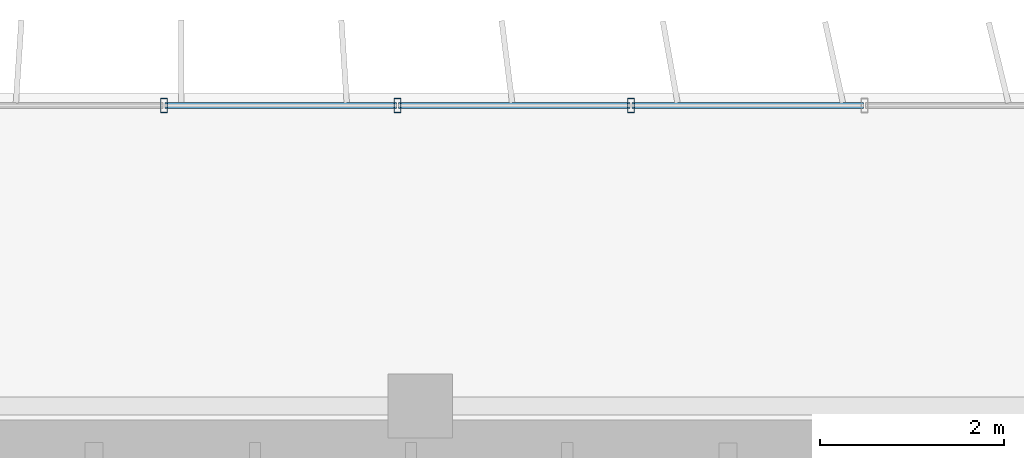
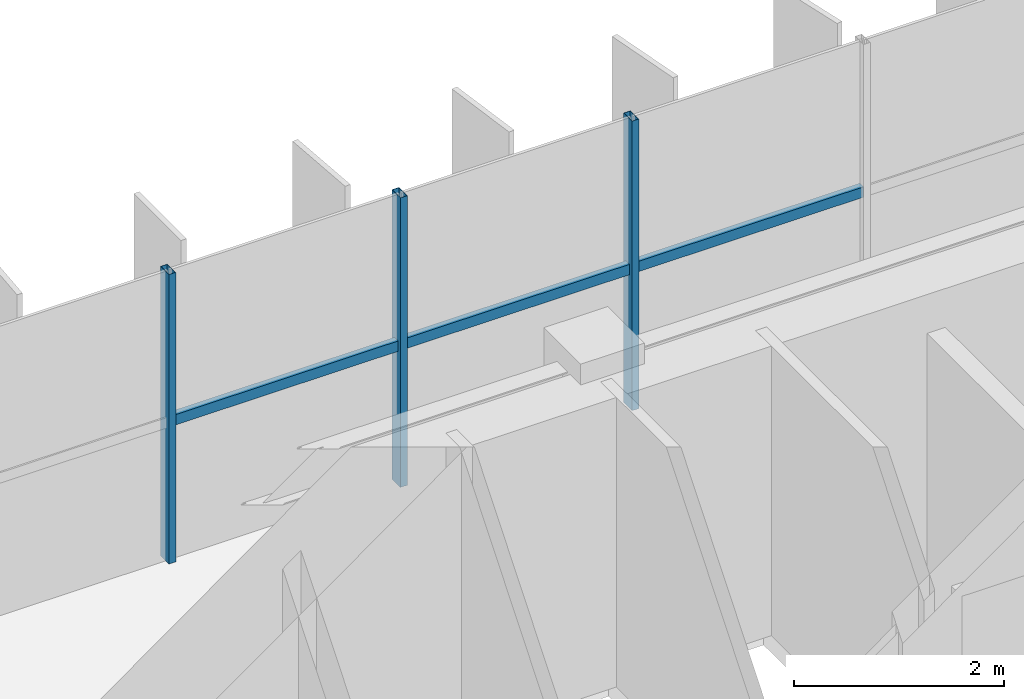
# One storey, part 11 of 23: 6 members, 1 element without a shape of its own.
"""IFC4 building model written with IfcOpenShell, lengths in metres."""

from ifc_helpers import new_model, si_unit, direction, frame, origin, origin_2d, place, context, subcontext, project, spatial, hollow_rectangle, extrude, source, transform, mapped, material, material_profile, profile_set, type_object, element, aggregate, save


model = new_model("IFC4")

# Units and contexts
model_context = context("Model", 3, precision=1e-05, world=origin(), true_north=direction((0.0, 1.0)))
body_context = subcontext(model_context, "Body", "Model", "MODEL_VIEW")
ifc_project = project(units=[si_unit("LENGTHUNIT", "METRE"), si_unit("AREAUNIT", "SQUARE_METRE"), si_unit("VOLUMEUNIT", "CUBIC_METRE"), si_unit("PLANEANGLEUNIT", "RADIAN"), si_unit("MASSUNIT", "GRAM", prefix="KILO")], contexts=[model_context])

# Site, building, storey
site_placement = place(None, origin())
site = spatial("IfcSite", under=ifc_project, at=site_placement, CompositionType="ELEMENT")
building_placement = place(site_placement, origin())
building = spatial("IfcBuilding", under=site, at=building_placement, Name="Trelvane Seafront Commons", CompositionType="ELEMENT")
storey_placement = place(building_placement, frame((0.0, 0.0, 226.5)))
storey = spatial("IfcBuildingStorey", under=building, at=storey_placement, Name="L59", CompositionType="ELEMENT", Elevation=226.5)

# Curtain wall, members
ifc_material = material(Name="Anodised pale-silver aluminium", Category="aluminium")
curtain_wall_type = type_object("IfcCurtainWallType", Name="ARCH-CW5-UPTOWER", PredefinedType="NOTDEFINED", material=ifc_material)
curtain_wall_placement = place(storey_placement, origin())
curtain_wall = element("IfcCurtainWall", 1, at=curtain_wall_placement, inside=storey, type_object=curtain_wall_type, Name="CW-L59-0102", PredefinedType="NOTDEFINED")
ifc_material_profile_1 = material_profile(ifc_material, hollow_rectangle(XDim=0.070068359375, YDim=0.1201171875, WallThickness=0.00390625, at=origin_2d()), Name="TRAN-70x120x4")
ifc_profile_set_1 = profile_set([ifc_material_profile_1], Name="Anodised pale-silver aluminium")
member_type_1 = type_object("IfcMemberType", Name="ARCH-CW-TRAN-120", PredefinedType="USERDEFINED", material=ifc_profile_set_1)
shared_shape_1 = source(origin(), body_context, "Body", "SweptSolid", [
    extrude(hollow_rectangle(XDim=0.070068359375, YDim=0.1201171875, WallThickness=0.00390625, at=origin_2d()), origin(), (0.0, 0.0, 1.0), 2.51708984375),
])
member_1_placement = place(storey_placement, frame((43.56494140625, 48.3701171875, 1.613037109375), z_axis=(1.0, 0.0, 0.0), x_axis=(0.0, 1.0, 0.0)))
member_1 = element("IfcMember", 2, at=member_1_placement, type_object=member_type_1, Name="CW-L59-0102-T11", ObjectType="TRANSOM", PredefinedType="USERDEFINED", context=body_context, shape_type="MappedRepresentation", body=[
    mapped(shared_shape_1, transform((0.0, 0.0, 0.0), x_axis=(1.0, 0.0, 0.0), y_axis=(0.0, 1.0, 0.0), z_axis=(0.0, 0.0, 1.0), scale=1.0)),
])
member_2_placement = place(storey_placement, frame((46.106201171875, 48.3701171875, 1.613037109375), z_axis=(1.0, 0.0, 0.0), x_axis=(0.0, 1.0, 0.0)))
member_2 = element("IfcMember", 3, at=member_2_placement, type_object=member_type_1, Name="CW-L59-0102-T12", ObjectType="TRANSOM", PredefinedType="USERDEFINED", context=body_context, shape_type="MappedRepresentation", body=[
    mapped(shared_shape_1, transform((0.0, 0.0, 0.0), x_axis=(1.0, 0.0, 0.0), y_axis=(0.0, 1.0, 0.0), z_axis=(0.0, 0.0, 1.0), scale=1.0)),
])
shared_shape_2 = source(origin(), body_context, "Body", "SweptSolid", [
    extrude(hollow_rectangle(XDim=0.070068359375, YDim=0.1201171875, WallThickness=0.00390625, at=origin_2d()), origin(), (0.0, 0.0, 1.0), 2.517333984375),
])
member_3_placement = place(storey_placement, frame((41.023681640625, 48.3701171875, 1.613037109375), z_axis=(1.0, 0.0, 0.0), x_axis=(0.0, 1.0, 0.0)))
member_3 = element("IfcMember", 4, at=member_3_placement, type_object=member_type_1, Name="CW-L59-0102-T10", ObjectType="TRANSOM", PredefinedType="USERDEFINED", context=body_context, shape_type="MappedRepresentation", body=[
    mapped(shared_shape_2, transform((0.0, 0.0, 0.0), x_axis=(1.0, 0.0, 0.0), y_axis=(0.0, 1.0, 0.0), z_axis=(0.0, 0.0, 1.0), scale=1.0)),
])
ifc_material_profile_2 = material_profile(ifc_material, hollow_rectangle(XDim=0.074951171875, YDim=0.159912109375, WallThickness=0.00390625, at=origin_2d()), Name="MULL-75x160x4")
ifc_profile_set_2 = profile_set([ifc_material_profile_2], Name="Anodised pale-silver aluminium")
member_type_2 = type_object("IfcMemberType", Name="ARCH-CW-MULL-160", PredefinedType="MULLION", material=ifc_profile_set_2)
shared_shape_3 = source(origin(), body_context, "Body", "SweptSolid", [
    extrude(hollow_rectangle(XDim=0.074951171875, YDim=0.159912109375, WallThickness=0.00390625, at=origin_2d()), origin(), (0.0, 0.0, 1.0), 3.360107421875),
])
member_4_placement = place(storey_placement, frame((41.01171875, 48.3701171875, 0.0), z_axis=(0.0, 0.0, 1.0), x_axis=(1.0, 0.0, 0.0)))
member_4 = element("IfcMember", 5, at=member_4_placement, type_object=member_type_2, Name="CW-L59-0102-M10", PredefinedType="MULLION", context=body_context, shape_type="MappedRepresentation", body=[
    mapped(shared_shape_3, transform((0.0, 0.0, 0.0), x_axis=(1.0, 0.0, 0.0), y_axis=(0.0, 1.0, 0.0), z_axis=(0.0, 0.0, 1.0), scale=1.0)),
])
member_5_placement = place(storey_placement, frame((43.552978515625, 48.3701171875, 0.0), z_axis=(0.0, 0.0, 1.0), x_axis=(1.0, 0.0, 0.0)))
member_5 = element("IfcMember", 6, at=member_5_placement, type_object=member_type_2, Name="CW-L59-0102-M11", PredefinedType="MULLION", context=body_context, shape_type="MappedRepresentation", body=[
    mapped(shared_shape_3, transform((0.0, 0.0, 0.0), x_axis=(1.0, 0.0, 0.0), y_axis=(0.0, 1.0, 0.0), z_axis=(0.0, 0.0, 1.0), scale=1.0)),
])
member_6_placement = place(storey_placement, frame((46.093994140625, 48.3701171875, 0.0), z_axis=(0.0, 0.0, 1.0), x_axis=(1.0, 0.0, 0.0)))
member_6 = element("IfcMember", 7, at=member_6_placement, type_object=member_type_2, Name="CW-L59-0102-M12", PredefinedType="MULLION", context=body_context, shape_type="MappedRepresentation", body=[
    mapped(shared_shape_3, transform((0.0, 0.0, 0.0), x_axis=(1.0, 0.0, 0.0), y_axis=(0.0, 1.0, 0.0), z_axis=(0.0, 0.0, 1.0), scale=1.0)),
])
aggregate(curtain_wall, [member_4, member_5, member_6, member_3, member_1, member_2])

save(model, "model.ifc")
